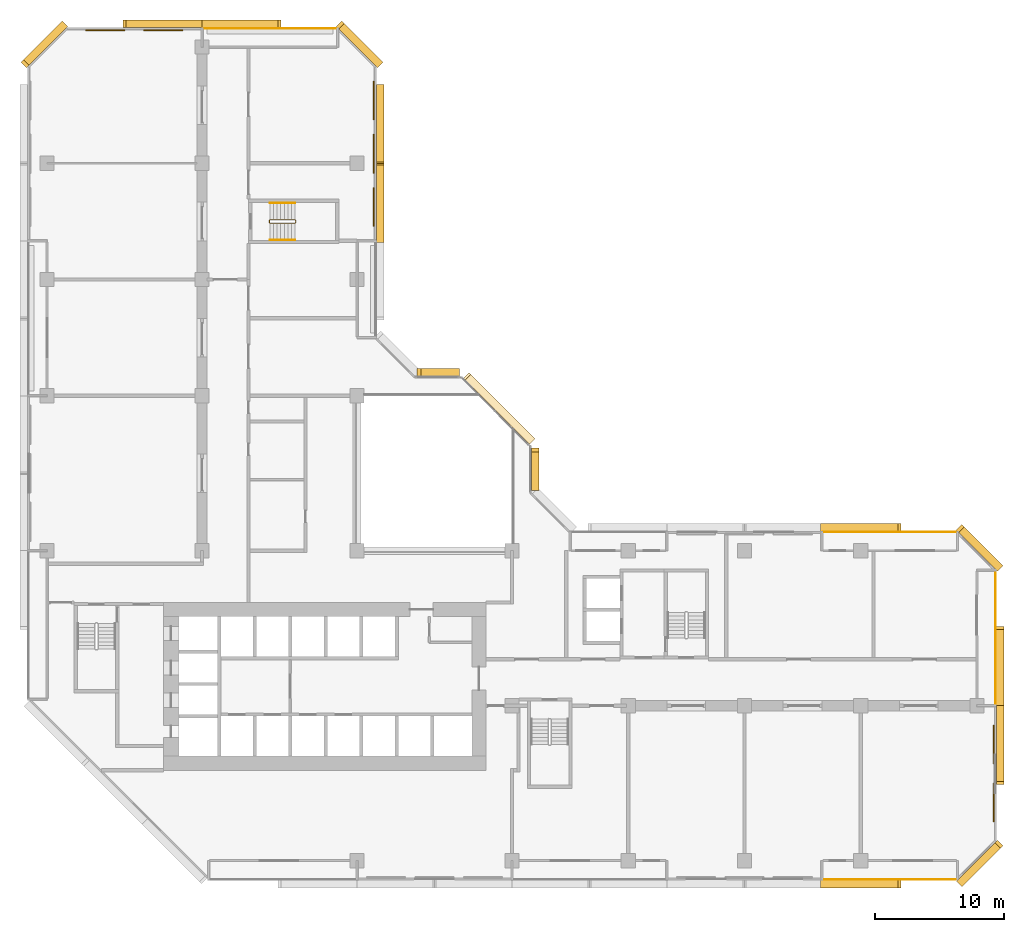
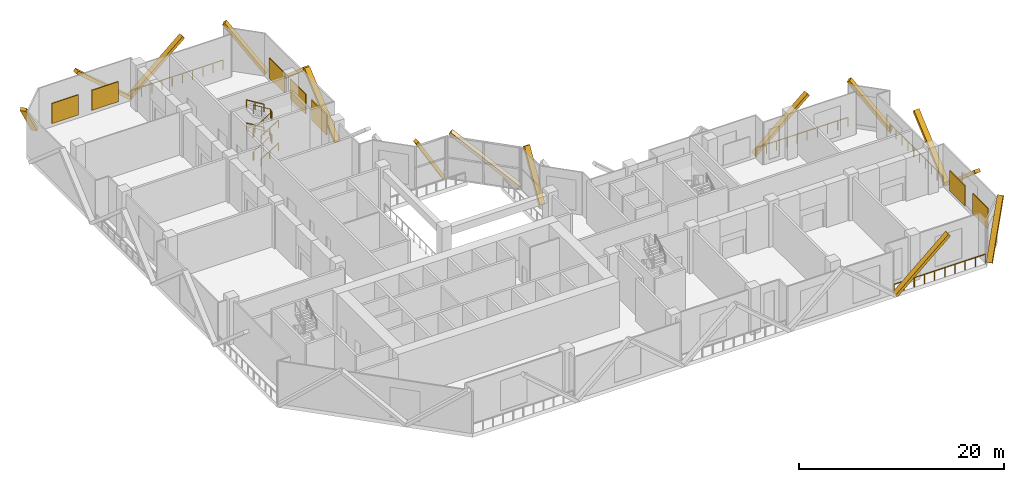
# One storey, part 14 of 14: 15 coverings, 9 railings, 7 shading devices.
"""IFC4 building model written with IfcOpenShell, lengths in metres."""

import ifcopenshell
import ifcopenshell.guid

model = None  # the IFC model being written
_history = None  # IfcOwnerHistory: only IFC2X3 demands one
_inside = {}  # id of a spatial element -> (the spatial element, [elements in it])
_under = {}  # id of a project, library or spatial element -> (it, [spatial elements below it])
_declared = {}  # id of a project -> (the project, [libraries it declares])
_typed = {}  # id of a type object -> (the type object, [elements of that type])
_made_of = {}  # id of a material, layer set ... -> (it, [elements and type objects made of it])


def new_model(schema):
    """Start an empty IFC model of exactly this schema.

    Asked for "IFC4X3", IfcOpenShell would pick the latest addendum, in which some entities
    have other attributes; the version numbers below select the first issue.
    IFC2X3 requires an IfcOwnerHistory on every rooted entity: one is made here for all.
    """
    global model, _history
    if schema == "IFC4X3":
        model = ifcopenshell.file(schema_version=(4, 3, 0, 0))
    else:
        model = ifcopenshell.file(schema=schema)
    _inside.clear()
    _under.clear()
    _declared.clear()
    _typed.clear()
    _made_of.clear()
    _history = None
    if model.schema == "IFC2X3":
        org = make("IfcOrganization", Name="unknown")
        user = make(
            "IfcPersonAndOrganization",
            ThePerson=make("IfcPerson", FamilyName="unknown"),
            TheOrganization=org,
        )
        app = make(
            "IfcApplication",
            ApplicationDeveloper=org,
            Version="unknown",
            ApplicationFullName="unknown",
            ApplicationIdentifier="unknown",
        )
        _history = make(
            "IfcOwnerHistory",
            OwningUser=user,
            OwningApplication=app,
            ChangeAction="ADDED",
            CreationDate=0,
        )
    return model


def make(cls, **values):
    """One entity of the class cls with the attributes given. An attribute that is None is left unset."""
    return model.create_entity(
        cls, **{name: value for name, value in values.items() if value is not None}
    )


def rooted(cls, **values):
    """An entity with a GlobalId (a new one), such as an element, a storey or a relation."""
    return make(cls, GlobalId=ifcopenshell.guid.new(), OwnerHistory=_history, **values)


def si_unit(unit_type, name, prefix=None):
    """IfcSIUnit, for example si_unit("LENGTHUNIT", "METRE", prefix="MILLI")."""
    return make("IfcSIUnit", UnitType=unit_type, Prefix=prefix, Name=name)


def assignment(units):
    """IfcUnitAssignment: the units of a project."""
    return None if units is None else make("IfcUnitAssignment", Units=units)


def point(xyz):
    """IfcCartesianPoint."""
    return None if xyz is None else make("IfcCartesianPoint", Coordinates=xyz)


def direction(xyz):
    """IfcDirection."""
    return None if xyz is None else make("IfcDirection", DirectionRatios=xyz)


def frame(location, z_axis=None, x_axis=None):
    """IfcAxis2Placement3D, a coordinate frame: its origin and axes. An axis left out is left unset."""
    return make(
        "IfcAxis2Placement3D",
        Location=point(location),
        Axis=direction(z_axis),
        RefDirection=direction(x_axis),
    )


def frame_2d(location, x_axis=None):
    """IfcAxis2Placement2D, a coordinate frame in the plane: its origin and x axis."""
    return make(
        "IfcAxis2Placement2D", Location=point(location), RefDirection=direction(x_axis)
    )


def origin():
    """The frame at (0, 0, 0) with its axes left unset."""
    return frame((0.0, 0.0, 0.0))


def origin_2d():
    """The frame at (0, 0) in the plane with its x axis left unset."""
    return frame_2d((0.0, 0.0))


def place(relative_to, where):
    """IfcLocalPlacement: puts the frame where relative to a parent placement (None: the world)."""
    return make(
        "IfcLocalPlacement", PlacementRelTo=relative_to, RelativePlacement=where
    )


def context(
    kind, dimensions, precision=None, world=None, true_north=None, identifier=None
):
    """IfcGeometricRepresentationContext, for example the 3D "Model" context."""
    return make(
        "IfcGeometricRepresentationContext",
        ContextIdentifier=identifier,
        ContextType=kind,
        CoordinateSpaceDimension=dimensions,
        Precision=precision,
        WorldCoordinateSystem=world,
        TrueNorth=true_north,
    )


def subcontext(parent, identifier, kind, view, scale=None):
    """IfcGeometricRepresentationSubContext, for example "Body" below "Model"."""
    return make(
        "IfcGeometricRepresentationSubContext",
        ContextIdentifier=identifier,
        ContextType=kind,
        ParentContext=parent,
        TargetScale=scale,
        TargetView=view,
    )


def project(units=None, contexts=None):
    """IfcProject with its units and contexts."""
    return rooted(
        "IfcProject",
        Name="project",
        RepresentationContexts=contexts,
        UnitsInContext=assignment(units),
    )


def spatial(cls, under=None, at=None, **own):
    """A site, building, storey or space (cls), placed at a placement, below another one or the project."""
    s = rooted(cls, ObjectPlacement=at, **own)
    if under is not None:
        _under.setdefault(under.id(), (under, []))[1].append(s)
    return s


def profile(cls, at=None, kind="AREA", **sizes):
    """A parametric profile (cls). Its sizes go by their IFC names, for example OverallWidth=200.0."""
    return make(cls, ProfileType=kind, Position=at, **sizes)


def rectangle(**sizes):
    """IfcRectangleProfileDef."""
    return profile("IfcRectangleProfileDef", **sizes)


def extrude(swept, where, along, depth):
    """IfcExtrudedAreaSolid: the profile swept, set in the frame where, extruded along a direction by depth."""
    return make(
        "IfcExtrudedAreaSolid",
        SweptArea=swept,
        Position=where,
        ExtrudedDirection=direction(along),
        Depth=depth,
    )


def shape(context_of_items, identifier, shape_type, items):
    """IfcShapeRepresentation: the items that make up one representation, for example the "Body"."""
    return make(
        "IfcShapeRepresentation",
        ContextOfItems=context_of_items,
        RepresentationIdentifier=identifier,
        RepresentationType=shape_type,
        Items=items,
    )


def material(Name=None, Category=None):
    """IfcMaterial."""
    return make("IfcMaterial", Name=Name, Category=Category)


def material_profile(
    of_material, cross_section, Name=None, Category=None, Priority=None
):
    """IfcMaterialProfile: a cross section and its material."""
    return make(
        "IfcMaterialProfile",
        Name=Name,
        Material=of_material,
        Profile=cross_section,
        Priority=Priority,
        Category=Category,
    )


def profile_set(profiles, Name=None, composite=None):
    """IfcMaterialProfileSet."""
    return make(
        "IfcMaterialProfileSet",
        Name=Name,
        MaterialProfiles=profiles,
        CompositeProfile=composite,
    )


def made_of(thing, what):
    """Note that an element or type object is made of a material, layer set ...; save() writes the relation."""
    if what is not None:
        _made_of.setdefault(what.id(), (what, []))[1].append(thing)
    return thing


def type_object(cls, material=None, **own):
    """A type object (cls), such as IfcWallType, which elements share."""
    return made_of(rooted(cls, **own), material)


def element(
    cls,
    number,
    at=None,
    inside=None,
    cuts=None,
    type_object=None,
    material=None,
    context=None,
    identifier="Body",
    shape_type=None,
    held_by="IfcProductDefinitionShape",
    body=None,
    shapes=None,
    **own,
):
    """One element of the class cls, such as IfcWall. Its Tag is "e" and its number.

    at: its placement. inside: the storey or other place that contains it. cuts: it is an
    opening in that element (IfcRelVoidsElement). A single representation is given by context,
    identifier, shape_type and body (its items); several are given by shapes. held_by: the class
    of the entity that holds the representations. save() writes the other relations.
    """
    e = rooted(cls, Tag="e%d" % number, ObjectPlacement=at, **own)
    if body is not None:
        shapes = [shape(context, identifier, shape_type, body)]
    if shapes is not None:
        e.Representation = make(held_by, Representations=shapes)
    if inside is not None:
        _inside.setdefault(inside.id(), (inside, []))[1].append(e)
    if cuts is not None:
        rooted(
            "IfcRelVoidsElement", RelatingBuildingElement=cuts, RelatedOpeningElement=e
        )
    if type_object is not None:
        _typed.setdefault(type_object.id(), (type_object, []))[1].append(e)
    return made_of(e, material)


def aggregate(whole, parts):
    """IfcRelAggregates: a whole, such as a stair, and the parts it consists of."""
    return rooted("IfcRelAggregates", RelatingObject=whole, RelatedObjects=parts)


def save(model, path):
    """Write the relations noted so far, then the file.

    IfcRelAggregates (storeys below a building ...), IfcRelContainedInSpatialStructure (elements
    in a storey), IfcRelDefinesByType, IfcRelAssociatesMaterial and IfcRelDeclares: one each for
    every whole, place, type object, material and project.
    """
    for whole, parts in _under.values():
        aggregate(whole, parts)
    for where, things in _inside.values():
        rooted(
            "IfcRelContainedInSpatialStructure",
            RelatedElements=things,
            RelatingStructure=where,
        )
    for kind, things in _typed.values():
        rooted("IfcRelDefinesByType", RelatedObjects=things, RelatingType=kind)
    for what, things in _made_of.values():
        rooted("IfcRelAssociatesMaterial", RelatedObjects=things, RelatingMaterial=what)
    for by, libraries in _declared.values():
        rooted("IfcRelDeclares", RelatingContext=by, RelatedDefinitions=libraries)
    model.write(path)


model = new_model("IFC4")

# Units and contexts
model_context = context("Model", 3, precision=1e-05, world=origin(), true_north=direction((0.0, 1.0)))
body_context = subcontext(model_context, "Body", "Model", "MODEL_VIEW")
ifc_project = project(units=[si_unit("LENGTHUNIT", "METRE"), si_unit("AREAUNIT", "SQUARE_METRE"), si_unit("VOLUMEUNIT", "CUBIC_METRE"), si_unit("PLANEANGLEUNIT", "RADIAN"), si_unit("MASSUNIT", "GRAM", prefix="KILO")], contexts=[model_context])

# Site, building, storey
site_placement = place(None, origin())
site = spatial("IfcSite", under=ifc_project, at=site_placement, CompositionType="ELEMENT")
building_placement = place(site_placement, origin())
building = spatial("IfcBuilding", under=site, at=building_placement, Name="Chenar Terraces", CompositionType="ELEMENT")
storey_placement = place(building_placement, frame((0.0, 0.0, 86.39990234375)))
storey = spatial("IfcBuildingStorey", under=building, at=storey_placement, Name="L19", CompositionType="ELEMENT", Elevation=86.39990234375)

# Railings
ifc_material_1 = material(Name="Stainless steel and glass", Category="steel")
railing_type_1 = type_object("IfcRailingType", Name="Loggia guard 1150", PredefinedType="GUARDRAIL", material=ifc_material_1)
railing_1_placement = place(storey_placement, frame((73.449951171875, 12.074951171875, 0.0)))
element("IfcRailing", 1, at=railing_1_placement, inside=storey, type_object=railing_type_1, Name="Loggia guard", PredefinedType="GUARDRAIL", context=body_context, shape_type="SweptSolid", body=[
    extrude(rectangle(XDim=0.048095703125, YDim=0.048095703125, at=origin_2d()), frame((0.0, 0.0, 1.1259765625), z_axis=(0.0, 1.0, 0.0), x_axis=(-1.0, 0.0, 0.0)), (0.0, 0.0, 1.0), 10.35009765625),
    extrude(rectangle(XDim=0.0419921875, YDim=0.0419921875, at=origin_2d()), origin(), (0.0, 0.0, 1.0), 1.101806640625),
    extrude(rectangle(XDim=0.0419921875, YDim=0.0419921875, at=origin_2d()), frame((0.0, 1.14990234375, 0.0)), (0.0, 0.0, 1.0), 1.101806640625),
    extrude(rectangle(XDim=0.0419921875, YDim=0.0419921875, at=origin_2d()), frame((0.0, 2.300048828125, 0.0)), (0.0, 0.0, 1.0), 1.101806640625),
    extrude(rectangle(XDim=0.0419921875, YDim=0.0419921875, at=origin_2d()), frame((0.0, 3.449951171875, 0.0)), (0.0, 0.0, 1.0), 1.101806640625),
    extrude(rectangle(XDim=0.0419921875, YDim=0.0419921875, at=origin_2d()), frame((0.0, 4.60009765625, 0.0)), (0.0, 0.0, 1.0), 1.101806640625),
    extrude(rectangle(XDim=0.0419921875, YDim=0.0419921875, at=origin_2d()), frame((0.0, 5.75, 0.0)), (0.0, 0.0, 1.0), 1.101806640625),
    extrude(rectangle(XDim=0.0419921875, YDim=0.0419921875, at=origin_2d()), frame((0.0, 6.900146484375, 0.0)), (0.0, 0.0, 1.0), 1.101806640625),
    extrude(rectangle(XDim=0.0419921875, YDim=0.0419921875, at=origin_2d()), frame((0.0, 8.050048828125, 0.0)), (0.0, 0.0, 1.0), 1.101806640625),
    extrude(rectangle(XDim=0.0419921875, YDim=0.0419921875, at=origin_2d()), frame((0.0, 9.2001953125, 0.0)), (0.0, 0.0, 1.0), 1.101806640625),
    extrude(rectangle(XDim=0.0419921875, YDim=0.0419921875, at=origin_2d()), frame((0.0, 10.35009765625, 0.0)), (0.0, 0.0, 1.0), 1.101806640625),
])
for number, where, name in (
    (2, (70.425048828125, 25.449951171875, 0.0), "Loggia guard"),
    (3, (22.425048828125, 64.449951171875, 0.0), "Loggia guard"),
):
    element("IfcRailing", number, at=place(storey_placement, frame(where)), inside=storey, type_object=railing_type_1, Name=name, PredefinedType="GUARDRAIL", context=body_context, shape_type="SweptSolid", body=[
        extrude(rectangle(XDim=0.048095703125, YDim=0.048095703125, at=origin_2d()), frame((0.0, 0.0, 1.1259765625), z_axis=(-1.0, 0.0, 0.0), x_axis=(0.0, -1.0, 0.0)), (0.0, 0.0, 1.0), 10.35009765625),
        extrude(rectangle(XDim=0.0419921875, YDim=0.0419921875, at=origin_2d()), origin(), (0.0, 0.0, 1.0), 1.101806640625),
        extrude(rectangle(XDim=0.0419921875, YDim=0.0419921875, at=origin_2d()), frame((-1.14990234375, 0.0, 0.0)), (0.0, 0.0, 1.0), 1.101806640625),
        extrude(rectangle(XDim=0.0419921875, YDim=0.0419921875, at=origin_2d()), frame((-2.300048828125, 0.0, 0.0)), (0.0, 0.0, 1.0), 1.101806640625),
        extrude(rectangle(XDim=0.0419921875, YDim=0.0419921875, at=origin_2d()), frame((-3.449951171875, 0.0, 0.0)), (0.0, 0.0, 1.0), 1.101806640625),
        extrude(rectangle(XDim=0.0419921875, YDim=0.0419921875, at=origin_2d()), frame((-4.60009765625, 0.0, 0.0)), (0.0, 0.0, 1.0), 1.101806640625),
        extrude(rectangle(XDim=0.0419921875, YDim=0.0419921875, at=origin_2d()), frame((-5.75, 0.0, 0.0)), (0.0, 0.0, 1.0), 1.101806640625),
        extrude(rectangle(XDim=0.0419921875, YDim=0.0419921875, at=origin_2d()), frame((-6.900146484375, 0.0, 0.0)), (0.0, 0.0, 1.0), 1.101806640625),
        extrude(rectangle(XDim=0.0419921875, YDim=0.0419921875, at=origin_2d()), frame((-8.050048828125, 0.0, 0.0)), (0.0, 0.0, 1.0), 1.101806640625),
        extrude(rectangle(XDim=0.0419921875, YDim=0.0419921875, at=origin_2d()), frame((-9.2001953125, 0.0, 0.0)), (0.0, 0.0, 1.0), 1.101806640625),
        extrude(rectangle(XDim=0.0419921875, YDim=0.0419921875, at=origin_2d()), frame((-10.35009765625, 0.0, 0.0)), (0.0, 0.0, 1.0), 1.101806640625),
    ])
railing_2_placement = place(storey_placement, frame((60.074951171875, -1.449951171875, 0.0)))
element("IfcRailing", 4, at=railing_2_placement, inside=storey, type_object=railing_type_1, Name="Loggia guard", PredefinedType="GUARDRAIL", context=body_context, shape_type="SweptSolid", body=[
    extrude(rectangle(XDim=0.048095703125, YDim=0.048095703125, at=origin_2d()), frame((0.0, 0.0, 1.1259765625), z_axis=(1.0, 0.0, 0.0), x_axis=(0.0, 1.0, 0.0)), (0.0, 0.0, 1.0), 10.35009765625),
    extrude(rectangle(XDim=0.0419921875, YDim=0.0419921875, at=origin_2d()), origin(), (0.0, 0.0, 1.0), 1.101806640625),
    extrude(rectangle(XDim=0.0419921875, YDim=0.0419921875, at=origin_2d()), frame((1.14990234375, 0.0, 0.0)), (0.0, 0.0, 1.0), 1.101806640625),
    extrude(rectangle(XDim=0.0419921875, YDim=0.0419921875, at=origin_2d()), frame((2.300048828125, 0.0, 0.0)), (0.0, 0.0, 1.0), 1.101806640625),
    extrude(rectangle(XDim=0.0419921875, YDim=0.0419921875, at=origin_2d()), frame((3.449951171875, 0.0, 0.0)), (0.0, 0.0, 1.0), 1.101806640625),
    extrude(rectangle(XDim=0.0419921875, YDim=0.0419921875, at=origin_2d()), frame((4.60009765625, 0.0, 0.0)), (0.0, 0.0, 1.0), 1.101806640625),
    extrude(rectangle(XDim=0.0419921875, YDim=0.0419921875, at=origin_2d()), frame((5.75, 0.0, 0.0)), (0.0, 0.0, 1.0), 1.101806640625),
    extrude(rectangle(XDim=0.0419921875, YDim=0.0419921875, at=origin_2d()), frame((6.900146484375, 0.0, 0.0)), (0.0, 0.0, 1.0), 1.101806640625),
    extrude(rectangle(XDim=0.0419921875, YDim=0.0419921875, at=origin_2d()), frame((8.050048828125, 0.0, 0.0)), (0.0, 0.0, 1.0), 1.101806640625),
    extrude(rectangle(XDim=0.0419921875, YDim=0.0419921875, at=origin_2d()), frame((9.2001953125, 0.0, 0.0)), (0.0, 0.0, 1.0), 1.101806640625),
    extrude(rectangle(XDim=0.0419921875, YDim=0.0419921875, at=origin_2d()), frame((10.35009765625, 0.0, 0.0)), (0.0, 0.0, 1.0), 1.101806640625),
])

# Shading devices
ifc_material_2 = material(Name="Powder-coated steel", Category="steel")
shading_device_type = type_object("IfcShadingDeviceType", Name="Sand-proof louvre bank 3000 x 2400", PredefinedType="USERDEFINED", material=ifc_material_2)
for number, where, z_axis, x_axis, name in (
    (5, (25.300048828125, 50.625, 0.4501953125), (0.0, 0.0, 1.0), (0.0, 1.0, 0.0), "Sand-proof louvre bank"),
    (6, (25.300048828125, 54.75, 0.4501953125), (0.0, 0.0, 1.0), (0.0, 1.0, 0.0), "Sand-proof louvre bank"),
    (7, (25.300048828125, 58.875, 0.4501953125), (0.0, 0.0, 1.0), (0.0, 1.0, 0.0), "Sand-proof louvre bank"),
    (8, (73.300048828125, 4.5, 0.4501953125), (0.0, 0.0, 1.0), (0.0, 1.0, 0.0), "Sand-proof louvre bank"),
    (9, (73.300048828125, 9.0, 0.4501953125), (0.0, 0.0, 1.0), (0.0, 1.0, 0.0), "Sand-proof louvre bank"),
    (10, (9.0, 64.300048828125, 0.4501953125), (0.0, 0.0, 1.0), (-1.0, 0.0, 0.0), "Sand-proof louvre bank"),
    (11, (4.5, 64.300048828125, 0.4501953125), (0.0, 0.0, 1.0), (-1.0, 0.0, 0.0), "Sand-proof louvre bank"),
):
    element("IfcShadingDevice", number, at=place(storey_placement, frame(where, z_axis=z_axis, x_axis=x_axis)), inside=storey, type_object=shading_device_type, Name=name, ObjectType="LOUVRE", PredefinedType="USERDEFINED", context=body_context, shape_type="SweptSolid", body=[
        extrude(rectangle(XDim=3.0, YDim=0.10009765625, at=origin_2d()), origin(), (0.0, 0.0, 1.0), 2.39990234375),
    ])

# Railings
ifc_material_3 = material(Name="Powder-coated steel", Category="steel")
railing_type_2 = type_object("IfcRailingType", Name="Stair guard 1100", PredefinedType="GUARDRAIL", material=ifc_material_3)
railing_3_placement = place(storey_placement, frame((17.25, 49.625, 5.5)))
element("IfcRailing", 12, at=railing_3_placement, inside=storey, type_object=railing_type_2, Name="L19 ST4 stair guard 1", PredefinedType="GUARDRAIL", context=body_context, shape_type="SweptSolid", body=[
    extrude(rectangle(XDim=0.048095703125, YDim=0.048095703125, at=origin_2d()), frame((0.0, 0.0, 1.076171875), z_axis=(0.852240978134, 0.0, -0.523149419562), x_axis=(0.0, 1.0, 0.0)), (0.0, 0.0, 1.0), 2.2998046875),
    extrude(rectangle(XDim=0.048095703125, YDim=0.048095703125, at=origin_2d()), frame((1.9599609375, 0.0, -0.126953125), z_axis=(0.269255725606, -0.269255725606, -0.92466356501), x_axis=(0.707106781187, 0.707106781187, 0.0)), (0.0, 0.0, 1.0), 0.185791015625),
    extrude(rectangle(XDim=0.048095703125, YDim=0.048095703125, at=origin_2d()), frame((2.010009765625, -0.050048828125, -0.298828125), z_axis=(0.0, -1.0, 0.0), x_axis=(1.0, 0.0, 0.0)), (0.0, 0.0, 1.0), 0.14990234375),
    extrude(rectangle(XDim=0.048095703125, YDim=0.048095703125, at=origin_2d()), frame((2.010009765625, -0.199951171875, -0.298828125), z_axis=(-0.707106781187, -0.707106781187, 0.0), x_axis=(0.707106781187, -0.707106781187, 0.0)), (0.0, 0.0, 1.0), 0.07080078125),
    extrude(rectangle(XDim=0.048095703125, YDim=0.048095703125, at=origin_2d()), frame((1.9599609375, -0.25, -0.298828125), z_axis=(-0.852240978134, 0.0, -0.523149419562), x_axis=(0.0, -1.0, 0.0)), (0.0, 0.0, 1.0), 2.2998046875),
    extrude(rectangle(XDim=0.048095703125, YDim=0.048095703125, at=origin_2d()), frame((0.0, -0.25, -1.501953125), z_axis=(-0.186486819998, 0.745037588186, -0.640423030626), x_axis=(-0.970072785993, -0.242814311512, 0.0)), (0.0, 0.0, 1.0), 0.268310546875),
    extrude(rectangle(XDim=0.048095703125, YDim=0.048095703125, at=origin_2d()), frame((-0.050048828125, -0.050048828125, -1.673828125), z_axis=(0.0, -1.0, 0.0), x_axis=(1.0, 0.0, 0.0)), (0.0, 0.0, 1.0), 0.14990234375),
    extrude(rectangle(XDim=0.048095703125, YDim=0.048095703125, at=origin_2d()), frame((-0.050048828125, -0.199951171875, -1.673828125), z_axis=(0.242814311512, 0.970072785993, 0.0), x_axis=(-0.970072785993, 0.242814311512, 0.0)), (0.0, 0.0, 1.0), 0.2060546875),
    extrude(rectangle(XDim=0.048095703125, YDim=0.048095703125, at=origin_2d()), frame((0.0, 0.0, -1.673828125), z_axis=(0.852240978134, 0.0, -0.523149419562), x_axis=(0.0, 1.0, 0.0)), (0.0, 0.0, 1.0), 2.2998046875),
    extrude(rectangle(XDim=0.048095703125, YDim=0.048095703125, at=origin_2d()), frame((1.9599609375, 0.0, -2.876953125), z_axis=(0.269255725606, -0.269255725606, -0.92466356501), x_axis=(0.707106781187, 0.707106781187, 0.0)), (0.0, 0.0, 1.0), 0.185791015625),
    extrude(rectangle(XDim=0.048095703125, YDim=0.048095703125, at=origin_2d()), frame((2.010009765625, -0.050048828125, -3.048828125), z_axis=(0.0, -1.0, 0.0), x_axis=(1.0, 0.0, 0.0)), (0.0, 0.0, 1.0), 0.14990234375),
    extrude(rectangle(XDim=0.048095703125, YDim=0.048095703125, at=origin_2d()), frame((2.010009765625, -0.199951171875, -3.048828125), z_axis=(-0.707106781187, -0.707106781187, 0.0), x_axis=(0.707106781187, -0.707106781187, 0.0)), (0.0, 0.0, 1.0), 0.07080078125),
    extrude(rectangle(XDim=0.048095703125, YDim=0.048095703125, at=origin_2d()), frame((1.9599609375, -0.25, -3.048828125), z_axis=(-0.852240978134, 0.0, -0.523149419562), x_axis=(0.0, -1.0, 0.0)), (0.0, 0.0, 1.0), 2.2998046875),
    extrude(rectangle(XDim=0.048095703125, YDim=0.048095703125, at=origin_2d()), frame((0.0, -0.25, -4.251953125), z_axis=(-0.269255725606, 0.269255725606, -0.92466356501), x_axis=(-0.707106781187, -0.707106781187, 0.0)), (0.0, 0.0, 1.0), 0.185791015625),
    extrude(rectangle(XDim=0.048095703125, YDim=0.048095703125, at=origin_2d()), frame((-0.050048828125, -0.199951171875, -4.423828125), z_axis=(0.0, 1.0, 0.0), x_axis=(-1.0, 0.0, 0.0)), (0.0, 0.0, 1.0), 0.14990234375),
    extrude(rectangle(XDim=0.0419921875, YDim=0.0419921875, at=origin_2d()), origin(), (0.0, 0.0, 1.0), 1.052001953125),
    extrude(rectangle(XDim=0.0419921875, YDim=0.0419921875, at=origin_2d()), frame((0.97998046875, 0.0, -0.6015625)), (0.0, 0.0, 1.0), 1.052001953125),
    extrude(rectangle(XDim=0.0419921875, YDim=0.0419921875, at=origin_2d()), frame((1.9599609375, 0.0, -1.203125)), (0.0, 0.0, 1.0), 1.052001953125),
    extrude(rectangle(XDim=0.0419921875, YDim=0.0419921875, at=origin_2d()), frame((2.010009765625, -0.050048828125, -1.375)), (0.0, 0.0, 1.0), 1.052001953125),
    extrude(rectangle(XDim=0.0419921875, YDim=0.0419921875, at=origin_2d()), frame((2.010009765625, -0.199951171875, -1.375)), (0.0, 0.0, 1.0), 1.052001953125),
    extrude(rectangle(XDim=0.0419921875, YDim=0.0419921875, at=origin_2d()), frame((1.9599609375, -0.25, -1.375)), (0.0, 0.0, 1.0), 1.052001953125),
    extrude(rectangle(XDim=0.0419921875, YDim=0.0419921875, at=origin_2d()), frame((0.97998046875, -0.25, -1.9765625)), (0.0, 0.0, 1.0), 1.052001953125),
    extrude(rectangle(XDim=0.0419921875, YDim=0.0419921875, at=origin_2d()), frame((0.0, -0.25, -2.578125)), (0.0, 0.0, 1.0), 1.052001953125),
    extrude(rectangle(XDim=0.0419921875, YDim=0.0419921875, at=origin_2d()), frame((-0.050048828125, -0.050048828125, -2.75)), (0.0, 0.0, 1.0), 1.052001953125),
    extrude(rectangle(XDim=0.0419921875, YDim=0.0419921875, at=origin_2d()), frame((-0.050048828125, -0.199951171875, -2.75)), (0.0, 0.0, 1.0), 1.052001953125),
    extrude(rectangle(XDim=0.0419921875, YDim=0.0419921875, at=origin_2d()), frame((0.0, 0.0, -2.75)), (0.0, 0.0, 1.0), 1.052001953125),
    extrude(rectangle(XDim=0.0419921875, YDim=0.0419921875, at=origin_2d()), frame((0.97998046875, 0.0, -3.3515625)), (0.0, 0.0, 1.0), 1.052001953125),
    extrude(rectangle(XDim=0.0419921875, YDim=0.0419921875, at=origin_2d()), frame((1.9599609375, 0.0, -3.953125)), (0.0, 0.0, 1.0), 1.052001953125),
    extrude(rectangle(XDim=0.0419921875, YDim=0.0419921875, at=origin_2d()), frame((2.010009765625, -0.050048828125, -4.125)), (0.0, 0.0, 1.0), 1.052001953125),
    extrude(rectangle(XDim=0.0419921875, YDim=0.0419921875, at=origin_2d()), frame((2.010009765625, -0.199951171875, -4.125)), (0.0, 0.0, 1.0), 1.052001953125),
    extrude(rectangle(XDim=0.0419921875, YDim=0.0419921875, at=origin_2d()), frame((1.9599609375, -0.25, -4.125)), (0.0, 0.0, 1.0), 1.052001953125),
    extrude(rectangle(XDim=0.0419921875, YDim=0.0419921875, at=origin_2d()), frame((0.97998046875, -0.25, -4.7265625)), (0.0, 0.0, 1.0), 1.052001953125),
    extrude(rectangle(XDim=0.0419921875, YDim=0.0419921875, at=origin_2d()), frame((0.0, -0.25, -5.328125)), (0.0, 0.0, 1.0), 1.052001953125),
    extrude(rectangle(XDim=0.0419921875, YDim=0.0419921875, at=origin_2d()), frame((-0.050048828125, -0.199951171875, -5.5)), (0.0, 0.0, 1.0), 1.052001953125),
    extrude(rectangle(XDim=0.0419921875, YDim=0.0419921875, at=origin_2d()), frame((-0.050048828125, -0.050048828125, -5.5)), (0.0, 0.0, 1.0), 1.052001953125),
])
ifc_material_4 = material(Name="Powder-coated steel", Category="steel")
railing_type_3 = type_object("IfcRailingType", Name="Stair handrail 900", PredefinedType="HANDRAIL", material=ifc_material_4)
railing_4_placement = place(storey_placement, frame((17.25, 48.074951171875, 0.171875)))
element("IfcRailing", 13, at=railing_4_placement, inside=storey, type_object=railing_type_3, Name="L19 ST4 stair handrail 1", PredefinedType="HANDRAIL", context=body_context, shape_type="SweptSolid", body=[
    extrude(rectangle(XDim=0.048095703125, YDim=0.048095703125, at=origin_2d()), frame((0.0, 0.0, 0.8759765625), z_axis=(0.852240978134, 0.0, 0.523149419562), x_axis=(0.0, 1.0, 0.0)), (0.0, 0.0, 1.0), 2.2998046875),
    extrude(rectangle(XDim=0.0419921875, YDim=0.0419921875, at=origin_2d()), origin(), (0.0, 0.0, 1.0), 0.851806640625),
    extrude(rectangle(XDim=0.0419921875, YDim=0.0419921875, at=origin_2d()), frame((0.97998046875, 0.0, 0.6015625)), (0.0, 0.0, 1.0), 0.851806640625),
    extrude(rectangle(XDim=0.0419921875, YDim=0.0419921875, at=origin_2d()), frame((1.9599609375, 0.0, 1.203125)), (0.0, 0.0, 1.0), 0.851806640625),
])
railing_5_placement = place(storey_placement, frame((19.2099609375, 50.925048828125, 1.546875)))
element("IfcRailing", 14, at=railing_5_placement, inside=storey, type_object=railing_type_3, Name="L19 ST4 stair handrail 2", PredefinedType="HANDRAIL", context=body_context, shape_type="SweptSolid", body=[
    extrude(rectangle(XDim=0.048095703125, YDim=0.048095703125, at=origin_2d()), frame((0.0, 0.0, 0.8759765625), z_axis=(-0.852240978134, 0.0, 0.523149419562), x_axis=(0.0, -1.0, 0.0)), (0.0, 0.0, 1.0), 2.2998046875),
    extrude(rectangle(XDim=0.0419921875, YDim=0.0419921875, at=origin_2d()), origin(), (0.0, 0.0, 1.0), 0.851806640625),
    extrude(rectangle(XDim=0.0419921875, YDim=0.0419921875, at=origin_2d()), frame((-0.97998046875, 0.0, 0.6015625)), (0.0, 0.0, 1.0), 0.851806640625),
    extrude(rectangle(XDim=0.0419921875, YDim=0.0419921875, at=origin_2d()), frame((-1.9599609375, 0.0, 1.203125)), (0.0, 0.0, 1.0), 0.851806640625),
])
railing_6_placement = place(storey_placement, frame((17.25, 48.074951171875, 2.921875)))
element("IfcRailing", 15, at=railing_6_placement, inside=storey, type_object=railing_type_3, Name="L19 ST4 stair handrail 3", PredefinedType="HANDRAIL", context=body_context, shape_type="SweptSolid", body=[
    extrude(rectangle(XDim=0.048095703125, YDim=0.048095703125, at=origin_2d()), frame((0.0, 0.0, 0.8759765625), z_axis=(0.852240978134, 0.0, 0.523149419562), x_axis=(0.0, 1.0, 0.0)), (0.0, 0.0, 1.0), 2.2998046875),
    extrude(rectangle(XDim=0.0419921875, YDim=0.0419921875, at=origin_2d()), origin(), (0.0, 0.0, 1.0), 0.851806640625),
    extrude(rectangle(XDim=0.0419921875, YDim=0.0419921875, at=origin_2d()), frame((0.97998046875, 0.0, 0.6015625)), (0.0, 0.0, 1.0), 0.851806640625),
    extrude(rectangle(XDim=0.0419921875, YDim=0.0419921875, at=origin_2d()), frame((1.9599609375, 0.0, 1.203125)), (0.0, 0.0, 1.0), 0.851806640625),
])
railing_7_placement = place(storey_placement, frame((19.2099609375, 50.925048828125, 4.296875)))
element("IfcRailing", 16, at=railing_7_placement, inside=storey, type_object=railing_type_3, Name="L19 ST4 stair handrail 4", PredefinedType="HANDRAIL", context=body_context, shape_type="SweptSolid", body=[
    extrude(rectangle(XDim=0.048095703125, YDim=0.048095703125, at=origin_2d()), frame((0.0, 0.0, 0.8759765625), z_axis=(-0.852240978134, 0.0, 0.523149419562), x_axis=(0.0, -1.0, 0.0)), (0.0, 0.0, 1.0), 2.2998046875),
    extrude(rectangle(XDim=0.0419921875, YDim=0.0419921875, at=origin_2d()), origin(), (0.0, 0.0, 1.0), 0.851806640625),
    extrude(rectangle(XDim=0.0419921875, YDim=0.0419921875, at=origin_2d()), frame((-0.97998046875, 0.0, 0.6015625)), (0.0, 0.0, 1.0), 0.851806640625),
    extrude(rectangle(XDim=0.0419921875, YDim=0.0419921875, at=origin_2d()), frame((-1.9599609375, 0.0, 1.203125)), (0.0, 0.0, 1.0), 0.851806640625),
])

# Coverings
ifc_material_5 = material(Name="Terracotta", Category="masonry")
ifc_material_profile = material_profile(ifc_material_5, rectangle(XDim=0.60009765625, YDim=0.35009765625, at=origin_2d()), Name="Terracotta baguette 600 x 350")
ifc_profile_set = profile_set([ifc_material_profile], Name="Terracotta")
covering_type = type_object("IfcCoveringType", Name="Terracotta baguette 600 x 350", PredefinedType="CLADDING", material=ifc_profile_set)
covering_1_placement = place(storey_placement, frame((66.0, 25.800048828125, 5.35009765625), z_axis=(-0.755692126483, 0.0, -0.654927026447), x_axis=(0.0, -1.0, 0.0)))
element("IfcCovering", 17, at=covering_1_placement, inside=storey, type_object=covering_type, Name="Terracotta baguette", PredefinedType="CLADDING", context=body_context, shape_type="SweptSolid", body=[
    extrude(rectangle(XDim=0.60009765625, YDim=0.35009765625, at=origin_2d()), origin(), (0.0, 0.0, 1.0), 7.939697265625),
])
covering_2_placement = place(storey_placement, frame((37.800048828125, 28.800048828125, 0.150146484375), z_axis=(0.0, 0.499725974117, 0.866183554908), x_axis=(-1.0, 0.0, 0.0)))
element("IfcCovering", 18, at=covering_2_placement, inside=storey, type_object=covering_type, Name="Terracotta baguette", PredefinedType="CLADDING", context=body_context, shape_type="SweptSolid", body=[
    extrude(rectangle(XDim=0.60009765625, YDim=0.35009765625, at=origin_2d()), origin(), (0.0, 0.0, 1.0), 6.003173828125),
])
covering_3_placement = place(storey_placement, frame((37.5, 32.524169921875, 0.150146484375), z_axis=(-0.568685747751, 0.568685747751, 0.594300463242), x_axis=(-0.707106781187, -0.707106781187, 0.0)))
element("IfcCovering", 19, at=covering_3_placement, inside=storey, type_object=covering_type, Name="Terracotta baguette", PredefinedType="CLADDING", context=body_context, shape_type="SweptSolid", body=[
    extrude(rectangle(XDim=0.60009765625, YDim=0.35009765625, at=origin_2d()), origin(), (0.0, 0.0, 1.0), 8.749755859375),
])
covering_4_placement = place(storey_placement, frame((31.800048828125, 37.800048828125, 0.150146484375), z_axis=(-0.499725974117, 0.0, 0.866183554908), x_axis=(0.0, -1.0, 0.0)))
element("IfcCovering", 20, at=covering_4_placement, inside=storey, type_object=covering_type, Name="Terracotta baguette", PredefinedType="CLADDING", context=body_context, shape_type="SweptSolid", body=[
    extrude(rectangle(XDim=0.60009765625, YDim=0.35009765625, at=origin_2d()), origin(), (0.0, 0.0, 1.0), 6.003173828125),
])
for number, where, z_axis, x_axis, name in (
    (21, (25.800048828125, 48.0, 0.150146484375), (0.0, 0.755692126483, 0.654927026447), (-1.0, 0.0, 0.0), "Terracotta baguette"),
    (22, (25.800048828125, 54.0, 5.35009765625), (0.0, 0.755692126483, -0.654927026447), (-1.0, 0.0, 0.0), "Terracotta baguette"),
):
    element("IfcCovering", number, at=place(storey_placement, frame(where, z_axis=z_axis, x_axis=x_axis)), inside=storey, type_object=covering_type, Name=name, PredefinedType="CLADDING", context=body_context, shape_type="SweptSolid", body=[
        extrude(rectangle(XDim=0.60009765625, YDim=0.35009765625, at=origin_2d()), origin(), (0.0, 0.0, 1.0), 7.939697265625),
    ])
covering_5_placement = place(storey_placement, frame((25.712158203125, 61.712158203125, 0.150146484375), z_axis=(-0.447017486301, 0.447017486301, 0.774823033913), x_axis=(-0.707106781187, -0.707106781187, 0.0)))
element("IfcCovering", 23, at=covering_5_placement, inside=storey, type_object=covering_type, Name="Terracotta baguette", PredefinedType="CLADDING", context=body_context, shape_type="SweptSolid", body=[
    extrude(rectangle(XDim=0.60009765625, YDim=0.35009765625, at=origin_2d()), origin(), (0.0, 0.0, 1.0), 6.711181640625),
])
for number, where, z_axis, x_axis, name in (
    (24, (18.0, 64.800048828125, 5.35009765625), (-0.755692126483, 0.0, -0.654927026447), (0.0, -1.0, 0.0), "Terracotta baguette"),
    (25, (12.0, 64.800048828125, 0.150146484375), (-0.755692126483, 0.0, 0.654927026447), (0.0, -1.0, 0.0), "Terracotta baguette"),
):
    element("IfcCovering", number, at=place(storey_placement, frame(where, z_axis=z_axis, x_axis=x_axis)), inside=storey, type_object=covering_type, Name=name, PredefinedType="CLADDING", context=body_context, shape_type="SweptSolid", body=[
        extrude(rectangle(XDim=0.60009765625, YDim=0.35009765625, at=origin_2d()), origin(), (0.0, 0.0, 1.0), 7.939697265625),
    ])
covering_6_placement = place(storey_placement, frame((1.287841796875, 64.712158203125, 0.150146484375), z_axis=(-0.447017486301, -0.447017486301, 0.774823033913), x_axis=(0.707106781187, -0.707106781187, 0.0)))
element("IfcCovering", 26, at=covering_6_placement, inside=storey, type_object=covering_type, Name="Terracotta baguette", PredefinedType="CLADDING", context=body_context, shape_type="SweptSolid", body=[
    extrude(rectangle(XDim=0.60009765625, YDim=0.35009765625, at=origin_2d()), origin(), (0.0, 0.0, 1.0), 6.711181640625),
])
covering_7_placement = place(storey_placement, frame((60.0, -1.800048828125, 0.150146484375), z_axis=(0.755692126483, 0.0, 0.654927026447), x_axis=(0.0, 1.0, 0.0)))
element("IfcCovering", 27, at=covering_7_placement, inside=storey, type_object=covering_type, Name="Terracotta baguette", PredefinedType="CLADDING", context=body_context, shape_type="SweptSolid", body=[
    extrude(rectangle(XDim=0.60009765625, YDim=0.35009765625, at=origin_2d()), origin(), (0.0, 0.0, 1.0), 7.939697265625),
])
covering_8_placement = place(storey_placement, frame((70.712158203125, -1.712158203125, 0.150146484375), z_axis=(0.447017486301, 0.447017486301, 0.774823033913), x_axis=(-0.707106781187, 0.707106781187, 0.0)))
element("IfcCovering", 28, at=covering_8_placement, inside=storey, type_object=covering_type, Name="Terracotta baguette", PredefinedType="CLADDING", context=body_context, shape_type="SweptSolid", body=[
    extrude(rectangle(XDim=0.60009765625, YDim=0.35009765625, at=origin_2d()), origin(), (0.0, 0.0, 1.0), 6.711181640625),
])
for number, where, z_axis, x_axis, name in (
    (29, (73.800048828125, 6.0, 5.35009765625), (0.0, 0.755692126483, -0.654927026447), (-1.0, 0.0, 0.0), "Terracotta baguette"),
    (30, (73.800048828125, 12.0, 0.150146484375), (0.0, 0.755692126483, 0.654927026447), (-1.0, 0.0, 0.0), "Terracotta baguette"),
):
    element("IfcCovering", number, at=place(storey_placement, frame(where, z_axis=z_axis, x_axis=x_axis)), inside=storey, type_object=covering_type, Name=name, PredefinedType="CLADDING", context=body_context, shape_type="SweptSolid", body=[
        extrude(rectangle(XDim=0.60009765625, YDim=0.35009765625, at=origin_2d()), origin(), (0.0, 0.0, 1.0), 7.939697265625),
    ])
covering_9_placement = place(storey_placement, frame((73.712158203125, 22.712158203125, 0.150146484375), z_axis=(-0.447017486301, 0.447017486301, 0.774823033913), x_axis=(-0.707106781187, -0.707106781187, 0.0)))
element("IfcCovering", 31, at=covering_9_placement, inside=storey, type_object=covering_type, Name="Terracotta baguette", PredefinedType="CLADDING", context=body_context, shape_type="SweptSolid", body=[
    extrude(rectangle(XDim=0.60009765625, YDim=0.35009765625, at=origin_2d()), origin(), (0.0, 0.0, 1.0), 6.711181640625),
])

save(model, "model.ifc")
